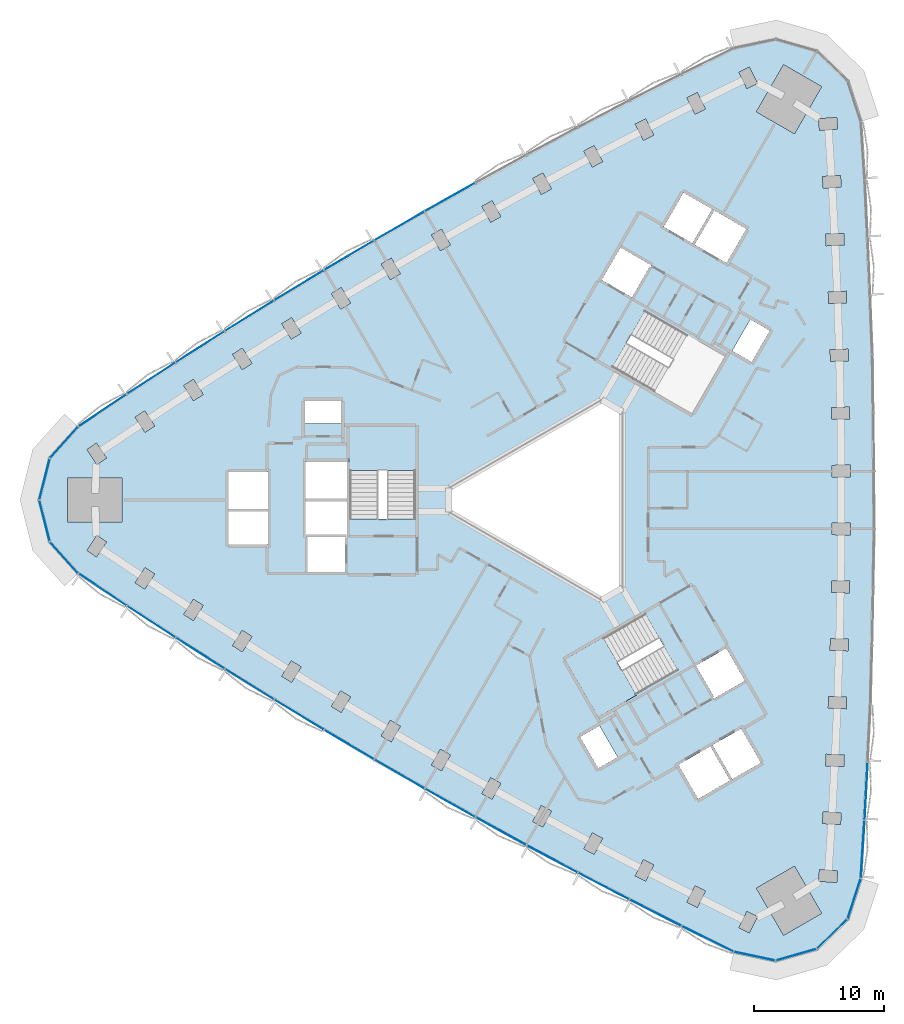
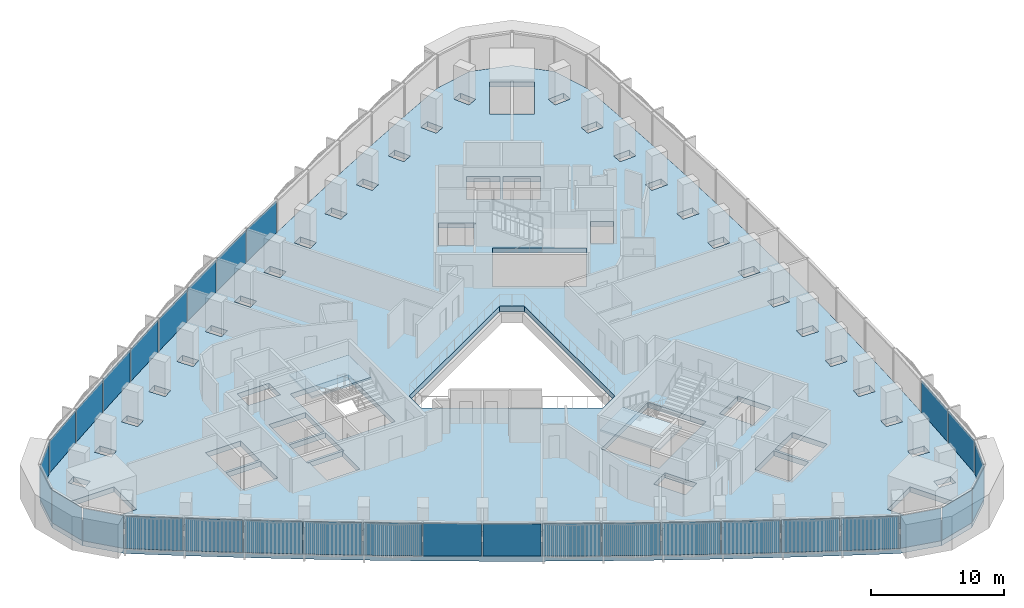
# One storey, part 7 of 15: 31 plates, 3 slabs, 5 elements without a shape of their own.
"""IFC4 building model written with IfcOpenShell, lengths in metres."""

from ifc_helpers import new_model, si_unit, direction, frame, origin, origin_2d, place, context, subcontext, project, spatial, polyline, rectangle, outline, extrude, material, layer, layer_set, type_object, element, aggregate, save


model = new_model("IFC4")

# Units and contexts
model_context = context("Model", 3, precision=1e-05, world=origin(), true_north=direction((0.0, 1.0)))
body_context = subcontext(model_context, "Body", "Model", "MODEL_VIEW")
ifc_project = project(units=[si_unit("LENGTHUNIT", "METRE"), si_unit("AREAUNIT", "SQUARE_METRE"), si_unit("VOLUMEUNIT", "CUBIC_METRE"), si_unit("PLANEANGLEUNIT", "RADIAN"), si_unit("MASSUNIT", "GRAM", prefix="KILO")], contexts=[model_context])

# Site, building, storey
site_placement = place(None, origin())
site = spatial("IfcSite", under=ifc_project, at=site_placement, CompositionType="ELEMENT")
building_placement = place(site_placement, origin())
building = spatial("IfcBuilding", under=site, at=building_placement, Name="Tamra Quay Hotel Tower", CompositionType="ELEMENT")
storey_placement = place(building_placement, frame((0.0, 0.0, 53.0)))
storey = spatial("IfcBuildingStorey", under=building, at=storey_placement, Name="L11", CompositionType="ELEMENT", Elevation=53.0)

# Stair, slab
ifc_material_1 = material(Name="Exit stair 2200 24 risers 150.0 going 342")
stair_type = type_object("IfcStairType", Name="Exit stair 2200 24 risers 150.0 going 342", PredefinedType="HALF_TURN_STAIR", material=ifc_material_1)
stair_1_placement = place(storey_placement, origin())
stair_1 = element("IfcStair", 1, at=stair_1_placement, inside=storey, type_object=stair_type, Name="L11 Exit stair ST3", PredefinedType="HALF_TURN_STAIR")
ifc_material_2 = material(Name="Concrete M70", Category="concrete")
ifc_layer_1 = layer(ifc_material_2, 0.175048828125)
ifc_layer_set_1 = layer_set([ifc_layer_1], Name="Concrete M70 stair landing 180")
slab_type_1 = type_object("IfcSlabType", Name="Concrete M70 stair landing 180", PredefinedType="LANDING", material=ifc_layer_set_1)
slab_1_placement = place(storey_placement, frame((0.0, 0.0, 1.625)))
slab_1 = element("IfcSlab", 2, at=slab_1_placement, type_object=slab_type_1, Name="ST3 landing 1", PredefinedType="LANDING", context=body_context, shape_type="SweptSolid", body=[
    extrude(outline(polyline([(-10.932373046875, 2.261962890625), (-10.932373046875, 5.679931640625), (-16.09130859375, 5.679931640625), (-16.09130859375, 2.261962890625), (-10.932373046875, 2.261962890625)])), origin(), (0.0, 0.0, 1.0), 0.175048828125),
])
aggregate(stair_1, [slab_1])

stair_2_placement = place(storey_placement, origin())
stair_2 = element("IfcStair", 3, at=stair_2_placement, inside=storey, type_object=stair_type, Name="L11 Exit stair ST2", PredefinedType="HALF_TURN_STAIR")
slab_2_placement = place(storey_placement, frame((0.0, 0.0, 1.625)))
slab_2 = element("IfcSlab", 4, at=slab_2_placement, type_object=slab_type_1, Name="ST2 landing 1", PredefinedType="LANDING", context=body_context, shape_type="SweptSolid", body=[
    extrude(outline(polyline([(3.50732421875, -10.5986328125), (0.547119140625, -12.3076171875), (3.126708984375, -16.775390625), (6.086669921875, -15.06640625), (3.50732421875, -10.5986328125)])), origin(), (0.0, 0.0, 1.0), 0.175048828125),
])
aggregate(stair_2, [slab_2])

# Slab
ifc_material_3 = material(Name="Concrete M60", Category="concrete")
ifc_layer_2 = layer(ifc_material_3, 0.47509765625)
ifc_layer_set_2 = layer_set([ifc_layer_2], Name="FLOOR SLAB PT 475")
slab_type_2 = type_object("IfcSlabType", Name="FLOOR SLAB PT 475", PredefinedType="FLOOR", material=ifc_layer_set_2)
slab_3_placement = place(storey_placement, frame((0.0, 0.0, -0.47509765625)))
element("IfcSlab", 5, at=slab_3_placement, inside=storey, type_object=slab_type_2, Name="SLAB-L11", PredefinedType="FLOOR", context=body_context, shape_type="SweptSolid", body=[
    extrude(outline(polyline([(23.699951171875, 24.723876953125), (23.943115234375, 20.231689453125), (24.137939453125, 15.738525390625), (24.283935546875, 11.24365234375), (24.38134765625, 6.74560546875), (24.43017578125, 2.248779296875), (24.43017578125, -2.248779296875), (24.38134765625, -6.74560546875), (24.283935546875, -11.24365234375), (24.137939453125, -15.738525390625), (23.943115234375, -20.231689453125), (23.699951171875, -24.723876953125), (23.40869140625, -29.210693359375), (22.386474609375, -32.356201171875), (20.00732421875, -34.65380859375), (16.828125, -35.5654296875), (13.593017578125, -34.877685546875), (9.5615234375, -32.88671875), (5.54931640625, -30.851318359375), (1.56103515625, -28.773193359375), (-2.40478515625, -26.65234375), (-6.3486328125, -24.48779296875), (-10.267578125, -22.281494140625), (-14.162353515625, -20.03271484375), (-18.03271484375, -17.741943359375), (-21.879150390625, -15.40869140625), (-25.698974609375, -13.034912109375), (-29.49267578125, -10.61962890625), (-33.261474609375, -8.162841796875), (-37.001708984375, -5.6669921875), (-39.214599609375, -3.208984375), (-40.0146484375, 0.0), (-39.214599609375, 3.208984375), (-37.001708984375, 5.6669921875), (-33.261474609375, 8.162841796875), (-29.49267578125, 10.61962890625), (-25.698974609375, 13.034912109375), (-21.879150390625, 15.40869140625), (-18.03271484375, 17.741943359375), (-14.162353515625, 20.03271484375), (-10.267578125, 22.281494140625), (-6.3486328125, 24.48779296875), (-2.40478515625, 26.65234375), (1.56103515625, 28.773193359375), (5.54931640625, 30.851318359375), (9.5615234375, 32.88671875), (13.593017578125, 34.877685546875), (16.828125, 35.5654296875), (20.00732421875, 34.65380859375), (22.386474609375, 32.356201171875), (23.40869140625, 29.210693359375), (23.699951171875, 24.723876953125)]), holes=[polyline([(-17.475830078125, -15.935791015625), (-16.70361328125, -16.39794921875), (-15.984375, -15.19677734375), (-16.756591796875, -14.734619140625), (-17.475830078125, -15.935791015625)]), polyline([(-20.56884765625, -12.416015625), (-21.3017578125, -13.60888671875), (-20.534912109375, -14.080078125), (-19.802001953125, -12.88720703125), (-20.56884765625, -12.416015625)]), polyline([(-24.357177734375, -10.05615234375), (-25.102294921875, -11.2412109375), (-24.340576171875, -11.72021484375), (-23.59521484375, -10.53515625), (-24.357177734375, -10.05615234375)]), polyline([(-28.11962890625, -7.6552734375), (-28.87744140625, -8.83251953125), (-28.12060546875, -9.319580078125), (-27.36279296875, -8.142578125), (-28.11962890625, -7.6552734375)]), polyline([(-31.854736328125, -5.21435546875), (-32.6259765625, -6.3828125), (-31.874755859375, -6.878662109375), (-31.103515625, -5.710205078125), (-31.854736328125, -5.21435546875)]), polyline([(-16.3173828125, -2.85498046875), (-19.4072265625, -2.85498046875), (-19.4072265625, -2.89306640625), (-19.307373046875, -2.89306640625), (-19.307373046875, -5.544921875), (-16.417236328125, -5.544921875), (-16.417236328125, -2.89306640625), (-16.3173828125, -2.89306640625), (-16.3173828125, -2.85498046875)]), polyline([(-35.565185546875, -2.73291015625), (-36.347900390625, -3.8935546875), (-35.601806640625, -4.396728515625), (-34.819091796875, -3.236083984375), (-35.565185546875, -2.73291015625)]), polyline([(-22.3671875, -3.445068359375), (-22.3671875, -0.905029296875), (-25.4072265625, -0.905029296875), (-25.4072265625, -3.445068359375), (-22.3671875, -3.445068359375)]), polyline([(-19.417236328125, -2.89306640625), (-19.417236328125, -2.64501953125), (-16.307373046875, -2.64501953125), (-16.307373046875, -2.89306640625), (-16.26708984375, -2.89306640625), (-16.26708984375, -0.10498046875), (-19.45751953125, -0.10498046875), (-19.45751953125, -2.89306640625), (-19.417236328125, -2.89306640625)]), polyline([(-33.62890625, 1.699951171875), (-37.828857421875, 1.699951171875), (-37.828857421875, -1.699951171875), (-33.62890625, -1.699951171875), (-33.62890625, 1.699951171875)]), polyline([(-25.4072265625, -0.695068359375), (-22.3671875, -0.695068359375), (-22.3671875, 2.14501953125), (-25.4072265625, 2.14501953125), (-25.4072265625, -0.695068359375)]), polyline([(-19.45751953125, 0.10498046875), (-16.26708984375, 0.10498046875), (-16.26708984375, 2.945068359375), (-19.45751953125, 2.945068359375), (-19.45751953125, 0.10498046875)]), polyline([(-16.036376953125, -1.455078125), (-10.9873046875, -1.455078125), (-10.9873046875, 5.625), (-16.036376953125, 5.625), (-16.036376953125, -1.455078125)]), polyline([(-34.819091796875, 3.236083984375), (-35.601806640625, 4.396728515625), (-36.347900390625, 3.8935546875), (-35.565185546875, 2.73291015625), (-34.819091796875, 3.236083984375)]), polyline([(-31.103515625, 5.710205078125), (-31.874755859375, 6.878662109375), (-32.6259765625, 6.3828125), (-31.854736328125, 5.21435546875), (-31.103515625, 5.710205078125)]), polyline([(-16.71728515625, 7.64501953125), (-19.50732421875, 7.64501953125), (-19.50732421875, 5.9150390625), (-16.71728515625, 5.9150390625), (-16.71728515625, 7.64501953125)]), polyline([(-27.36279296875, 8.142578125), (-28.12060546875, 9.319580078125), (-28.87744140625, 8.83251953125), (-28.11962890625, 7.6552734375), (-27.36279296875, 8.142578125)]), polyline([(-23.59521484375, 10.53515625), (-24.340576171875, 11.72021484375), (-25.102294921875, 11.2412109375), (-24.357177734375, 10.05615234375), (-23.59521484375, 10.53515625)]), polyline([(-19.802001953125, 12.88720703125), (-20.534912109375, 14.080078125), (-21.3017578125, 13.60888671875), (-20.56884765625, 12.416015625), (-19.802001953125, 12.88720703125)]), polyline([(-15.984375, 15.19677734375), (-16.70361328125, 16.39794921875), (-17.475830078125, 15.935791015625), (-16.756591796875, 14.734619140625), (-15.984375, 15.19677734375)]), polyline([(-12.141357421875, 17.466064453125), (-12.84765625, 18.6748046875), (-13.624755859375, 18.220703125), (-12.918212890625, 17.011962890625), (-12.141357421875, 17.466064453125)]), polyline([(10.606689453125, -29.79150390625), (9.980224609375, -31.04345703125), (10.78515625, -31.4462890625), (11.41162109375, -30.194091796875), (10.606689453125, -29.79150390625)]), polyline([(6.6298828125, -27.76806640625), (5.9892578125, -29.012939453125), (6.78955078125, -29.4248046875), (7.43017578125, -28.179931640625), (6.6298828125, -27.76806640625)]), polyline([(2.673828125, -25.70166015625), (2.02001953125, -26.939697265625), (2.81591796875, -27.35986328125), (3.4697265625, -26.121826171875), (2.673828125, -25.70166015625)]), polyline([(-1.259521484375, -23.5927734375), (-1.92626953125, -24.82373046875), (-1.134765625, -25.252197265625), (-0.46826171875, -24.021240234375), (-1.259521484375, -23.5927734375)]), polyline([(-5.168701171875, -21.44140625), (-5.849365234375, -22.664794921875), (-5.06298828125, -23.102294921875), (-4.382080078125, -21.87890625), (-5.168701171875, -21.44140625)]), polyline([(13.3056640625, -21.65576171875), (11.78564453125, -19.02294921875), (9.325927734375, -20.443115234375), (10.845947265625, -23.075927734375), (13.3056640625, -21.65576171875)]), polyline([(-9.055419921875, -19.247802734375), (-9.7490234375, -20.4638671875), (-8.96728515625, -20.90966796875), (-8.273681640625, -19.693603515625), (-9.055419921875, -19.247802734375)]), polyline([(1.73779296875, -18.300048828125), (3.1328125, -20.71630859375), (4.631103515625, -19.851318359375), (3.236083984375, -17.43505859375), (1.73779296875, -18.300048828125)]), polyline([(-12.918212890625, -17.011962890625), (-13.624755859375, -18.220703125), (-12.84765625, -18.6748046875), (-12.141357421875, -17.466064453125), (-12.918212890625, -17.011962890625)]), polyline([(10.68115234375, -12.790283203125), (12.05615234375, -15.171875), (11.969482421875, -15.2216796875), (12.03955078125, -15.343017578125), (14.455810546875, -13.947998046875), (13.0107421875, -11.4453125), (10.68115234375, -12.790283203125)]), polyline([(9.2783203125, -13.160400390625), (6.75390625, -8.78759765625), (0.622314453125, -12.32763671875), (3.146728515625, -16.7001953125), (9.2783203125, -13.160400390625)]), polyline([(3.39990234375, 7.736572265625), (-8.39990234375, 0.923828125), (-8.39990234375, -0.923828125), (3.39990234375, -7.736572265625), (5.0, -6.812744140625), (5.0, 6.812744140625), (3.39990234375, 7.736572265625)]), polyline([(6.758056640625, 14.615478515625), (4.2333984375, 10.242919921875), (10.364990234375, 6.702880859375), (12.889404296875, 11.075439453125), (6.758056640625, 14.615478515625)]), polyline([(5.736083984375, 15.645263671875), (7.111083984375, 18.02685546875), (7.19775390625, 17.976806640625), (7.267578125, 18.09814453125), (4.8515625, 19.4931640625), (3.406494140625, 16.990234375), (5.736083984375, 15.645263671875)]), polyline([(-8.273681640625, 19.693603515625), (-8.96728515625, 20.90966796875), (-9.7490234375, 20.4638671875), (-9.055419921875, 19.247802734375), (-8.273681640625, 19.693603515625)]), polyline([(8.2001953125, 21.093017578125), (10.39990234375, 19.822998046875), (11.919921875, 22.455810546875), (9.72021484375, 23.725830078125), (8.2001953125, 21.093017578125)]), polyline([(-4.382080078125, 21.87890625), (-5.06298828125, 23.102294921875), (-5.849365234375, 22.664794921875), (-5.168701171875, 21.44140625), (-4.382080078125, 21.87890625)]), polyline([(-0.46826171875, 24.021240234375), (-1.134765625, 25.252197265625), (-1.92626953125, 24.82373046875), (-1.259521484375, 23.5927734375), (-0.46826171875, 24.021240234375)]), polyline([(3.4697265625, 26.121826171875), (2.81591796875, 27.35986328125), (2.02001953125, 26.939697265625), (2.673828125, 25.70166015625), (3.4697265625, 26.121826171875)]), polyline([(7.43017578125, 28.179931640625), (6.78955078125, 29.4248046875), (5.9892578125, 29.012939453125), (6.6298828125, 27.76806640625), (7.43017578125, 28.179931640625)]), polyline([(11.41162109375, 30.194091796875), (10.78515625, 31.4462890625), (9.980224609375, 31.04345703125), (10.606689453125, 29.79150390625), (11.41162109375, 30.194091796875)]), polyline([(14.60693359375, -31.772216796875), (13.993408203125, -33.030517578125), (14.80224609375, -33.425048828125), (15.416015625, -32.166748046875), (14.60693359375, -31.772216796875)]), polyline([(15.34228515625, -29.973388671875), (17.442138671875, -33.61083984375), (20.38671875, -31.910888671875), (18.28662109375, -28.2734375), (15.34228515625, -29.973388671875)]), polyline([(20.1494140625, -29.43408203125), (21.5458984375, -29.53173828125), (21.608642578125, -28.6337890625), (20.212158203125, -28.5361328125), (20.1494140625, -29.43408203125)]), polyline([(20.443115234375, -24.979736328125), (21.840576171875, -25.0634765625), (21.894287109375, -24.1650390625), (20.496826171875, -24.081298828125), (20.443115234375, -24.979736328125)]), polyline([(20.689453125, -20.524658203125), (22.087890625, -20.59228515625), (22.13134765625, -19.693359375), (20.73291015625, -19.625732421875), (20.689453125, -20.524658203125)]), polyline([(14.1669921875, -17.648193359375), (11.96728515625, -18.91796875), (13.487548828125, -21.55078125), (15.68701171875, -20.281005859375), (14.1669921875, -17.648193359375)]), polyline([(20.887451171875, -16.06591796875), (22.286376953125, -16.11865234375), (22.3203125, -15.219482421875), (20.92138671875, -15.16650390625), (20.887451171875, -16.06591796875)]), polyline([(21.037109375, -11.60498046875), (22.4365234375, -11.643310546875), (22.461181640625, -10.74365234375), (21.0615234375, -10.70556640625), (21.037109375, -11.60498046875)]), polyline([(21.138916015625, -7.144287109375), (22.538818359375, -7.16650390625), (22.552978515625, -6.2666015625), (21.153076171875, -6.244384765625), (21.138916015625, -7.144287109375)]), polyline([(21.19189453125, -2.681640625), (22.591796875, -2.68896484375), (22.5966796875, -1.7890625), (21.19677734375, -1.781494140625), (21.19189453125, -2.681640625)]), polyline([(21.19677734375, 1.781494140625), (22.5966796875, 1.7890625), (22.591796875, 2.68896484375), (21.19189453125, 2.681640625), (21.19677734375, 1.781494140625)]), polyline([(21.153076171875, 6.244384765625), (22.552978515625, 6.2666015625), (22.538818359375, 7.16650390625), (21.138916015625, 7.144287109375), (21.153076171875, 6.244384765625)]), polyline([(21.0615234375, 10.70556640625), (22.461181640625, 10.74365234375), (22.4365234375, 11.643310546875), (21.037109375, 11.60498046875), (21.0615234375, 10.70556640625)]), polyline([(14.9794921875, 10.655029296875), (16.37451171875, 13.0712890625), (14.876220703125, 13.936279296875), (13.481201171875, 11.52001953125), (14.9794921875, 10.655029296875)]), polyline([(20.92138671875, 15.16650390625), (22.3203125, 15.219482421875), (22.286376953125, 16.11865234375), (20.887451171875, 16.06591796875), (20.92138671875, 15.16650390625)]), polyline([(20.73291015625, 19.625732421875), (22.13134765625, 19.693359375), (22.087890625, 20.59228515625), (20.689453125, 20.524658203125), (20.73291015625, 19.625732421875)]), polyline([(12.101806640625, 22.350830078125), (10.58154296875, 19.718017578125), (13.041259765625, 18.298095703125), (14.561279296875, 20.930908203125), (12.101806640625, 22.350830078125)]), polyline([(20.496826171875, 24.081298828125), (21.894287109375, 24.1650390625), (21.840576171875, 25.0634765625), (20.443115234375, 24.979736328125), (20.496826171875, 24.081298828125)]), polyline([(20.212158203125, 28.5361328125), (21.608642578125, 28.6337890625), (21.5458984375, 29.53173828125), (20.1494140625, 29.43408203125), (20.212158203125, 28.5361328125)]), polyline([(18.28662109375, 28.2734375), (20.38671875, 31.910888671875), (17.442138671875, 33.61083984375), (15.34228515625, 29.973388671875), (18.28662109375, 28.2734375)]), polyline([(15.416015625, 32.166748046875), (14.80224609375, 33.425048828125), (13.993408203125, 33.030517578125), (14.60693359375, 31.772216796875), (15.416015625, 32.166748046875)])]), origin(), (0.0, 0.0, 1.0), 0.47509765625),
])

# Curtain wall, plates
ifc_material_4 = material(Name="Aluminium 6063 anodised dark grey", Category="aluminium")
curtain_wall_type_1 = type_object("IfcCurtainWallType", Name="CW1 CURTAIN WALL", PredefinedType="NOTDEFINED", material=ifc_material_4)
curtain_wall_1_placement = place(storey_placement, origin())
curtain_wall_1 = element("IfcCurtainWall", 6, at=curtain_wall_1_placement, inside=storey, type_object=curtain_wall_type_1, Name="CW1 east face L11", PredefinedType="NOTDEFINED")
ifc_material_5 = material(Name="Glass clear laminated low-iron", Category="glass")
ifc_layer_3 = layer(ifc_material_5, 0.035888671875)
ifc_layer_set_3 = layer_set([ifc_layer_3], Name="GLASS PANEL CW1 Z1")
plate_type_1 = type_object("IfcPlateType", Name="GLASS PANEL CW1 Z1", PredefinedType="CURTAIN_PANEL", material=ifc_layer_set_3)
plate_1_placement = place(storey_placement, frame((23.55419921875, -26.96728515625, 0.0), z_axis=(0.0, 0.0, 1.0), x_axis=(0.064813097616, 0.997897420769, 0.0)))
plate_1 = element("IfcPlate", 7, at=plate_1_placement, type_object=plate_type_1, Name="CW1 glass L11.E.1", PredefinedType="CURTAIN_PANEL", context=body_context, shape_type="SweptSolid", body=[
    extrude(rectangle(XDim=4.396484375, YDim=0.035888671875, at=origin_2d()), origin(), (0.0, 0.0, 1.0), 2.985107421875),
])
plate_2_placement = place(storey_placement, frame((23.821533203125, -22.477783203125, 0.0), z_axis=(0.0, 0.0, 1.0), x_axis=(0.054062119595, 0.998537574268, 0.0)))
plate_2 = element("IfcPlate", 8, at=plate_2_placement, type_object=plate_type_1, Name="CW1 glass L11.E.2", PredefinedType="CURTAIN_PANEL", context=body_context, shape_type="SweptSolid", body=[
    extrude(rectangle(XDim=4.39892578125, YDim=0.035888671875, at=origin_2d()), origin(), (0.0, 0.0, 1.0), 2.985107421875),
])
aggregate(curtain_wall_1, [plate_1, plate_2])

curtain_wall_type_2 = type_object("IfcCurtainWallType", Name="CW2 CURTAIN WALL", PredefinedType="NOTDEFINED", material=ifc_material_4)
curtain_wall_2_placement = place(storey_placement, origin())
curtain_wall_2 = element("IfcCurtainWall", 9, at=curtain_wall_2_placement, inside=storey, type_object=curtain_wall_type_2, Name="CW2 north-west face L11", PredefinedType="NOTDEFINED")
ifc_layer_4 = layer(ifc_material_5, 0.035888671875)
ifc_layer_set_4 = layer_set([ifc_layer_4], Name="GLASS PANEL CW2 Z1")
plate_type_2 = type_object("IfcPlateType", Name="GLASS PANEL CW2 Z1", PredefinedType="CURTAIN_PANEL", material=ifc_layer_set_4)
plate_3_placement = place(storey_placement, frame((-8.30810546875, 23.384521484375, 0.0), z_axis=(0.0, 0.0, 1.0), x_axis=(-0.871392472945, -0.490586544959, 0.0)))
plate_3 = element("IfcPlate", 10, at=plate_3_placement, type_object=plate_type_2, Name="CW2 glass L11.NW.6", PredefinedType="CURTAIN_PANEL", context=body_context, shape_type="SweptSolid", body=[
    extrude(rectangle(XDim=4.397216796875, YDim=0.035888671875, at=origin_2d()), origin(), (0.0, 0.0, 1.0), 2.985107421875),
])
plate_4_placement = place(storey_placement, frame((-12.215087890625, 21.156982421875, 0.0), z_axis=(0.0, 0.0, 1.0), x_axis=(-0.866025403784, -0.5, 0.0)))
plate_4 = element("IfcPlate", 11, at=plate_4_placement, type_object=plate_type_2, Name="CW2 glass L11.NW.7", PredefinedType="CURTAIN_PANEL", context=body_context, shape_type="SweptSolid", body=[
    extrude(rectangle(XDim=4.397216796875, YDim=0.035888671875, at=origin_2d()), origin(), (0.0, 0.0, 1.0), 2.985107421875),
])
plate_5_placement = place(storey_placement, frame((-16.09765625, 18.887451171875, 0.0), z_axis=(0.0, 0.0, 1.0), x_axis=(-0.860556647162, -0.509354745757, 0.0)))
plate_5 = element("IfcPlate", 12, at=plate_5_placement, type_object=plate_type_2, Name="CW2 glass L11.NW.8", PredefinedType="CURTAIN_PANEL", context=body_context, shape_type="SweptSolid", body=[
    extrude(rectangle(XDim=4.397216796875, YDim=0.035888671875, at=origin_2d()), origin(), (0.0, 0.0, 1.0), 2.985107421875),
])
plate_6_placement = place(storey_placement, frame((-19.955810546875, 16.575439453125, 0.0), z_axis=(0.0, 0.0, 1.0), x_axis=(-0.85499355735, -0.51863861878, 0.0)))
plate_6 = element("IfcPlate", 13, at=plate_6_placement, type_object=plate_type_2, Name="CW2 glass L11.NW.9", PredefinedType="CURTAIN_PANEL", context=body_context, shape_type="SweptSolid", body=[
    extrude(rectangle(XDim=4.39892578125, YDim=0.035888671875, at=origin_2d()), origin(), (0.0, 0.0, 1.0), 2.985107421875),
])
plate_7_placement = place(storey_placement, frame((-23.7890625, 14.2216796875, 0.0), z_axis=(0.0, 0.0, 1.0), x_axis=(-0.849331223164, -0.527860278254, 0.0)))
plate_7 = element("IfcPlate", 14, at=plate_7_placement, type_object=plate_type_2, Name="CW2 glass L11.NW.10", PredefinedType="CURTAIN_PANEL", context=body_context, shape_type="SweptSolid", body=[
    extrude(rectangle(XDim=4.397216796875, YDim=0.035888671875, at=origin_2d()), origin(), (0.0, 0.0, 1.0), 2.985107421875),
])
plate_8_placement = place(storey_placement, frame((-27.595703125, 11.8271484375, 0.0), z_axis=(0.0, 0.0, 1.0), x_axis=(-0.84357098627, -0.537017682319, 0.0)))
plate_8 = element("IfcPlate", 15, at=plate_8_placement, type_object=plate_type_2, Name="CW2 glass L11.NW.11", PredefinedType="CURTAIN_PANEL", context=body_context, shape_type="SweptSolid", body=[
    extrude(rectangle(XDim=4.397216796875, YDim=0.035888671875, at=origin_2d()), origin(), (0.0, 0.0, 1.0), 2.985107421875),
])
plate_9_placement = place(storey_placement, frame((-31.376953125, 9.391357421875, 0.0), z_axis=(0.0, 0.0, 1.0), x_axis=(-0.837727846152, -0.546087956086, 0.0)))
plate_9 = element("IfcPlate", 16, at=plate_9_placement, type_object=plate_type_2, Name="CW2 glass L11.NW.12", PredefinedType="CURTAIN_PANEL", context=body_context, shape_type="SweptSolid", body=[
    extrude(rectangle(XDim=4.39892578125, YDim=0.035888671875, at=origin_2d()), origin(), (0.0, 0.0, 1.0), 2.985107421875),
])
plate_10_placement = place(storey_placement, frame((-35.131591796875, 6.9150390625, 0.0), z_axis=(0.0, 0.0, 1.0), x_axis=(-0.831797967949, -0.555078499418, 0.0)))
plate_10 = element("IfcPlate", 17, at=plate_10_placement, type_object=plate_type_2, Name="CW2 glass L11.NW.13", PredefinedType="CURTAIN_PANEL", context=body_context, shape_type="SweptSolid", body=[
    extrude(rectangle(XDim=4.396484375, YDim=0.035888671875, at=origin_2d()), origin(), (0.0, 0.0, 1.0), 2.985107421875),
])
plate_11_placement = place(storey_placement, frame((-38.108154296875, 4.43798828125, 0.0), z_axis=(0.0, 0.0, 1.0), x_axis=(-0.669112198553, -0.743161399527, 0.0)))
plate_11 = element("IfcPlate", 18, at=plate_11_placement, type_object=plate_type_2, Name="CW2 glass L11.NW.14", PredefinedType="CURTAIN_PANEL", context=body_context, shape_type="SweptSolid", body=[
    extrude(rectangle(XDim=3.207275390625, YDim=0.035888671875, at=origin_2d()), origin(), (0.0, 0.0, 1.0), 2.985107421875),
])
plate_12_placement = place(storey_placement, frame((-39.61474609375, 1.6044921875, 0.0), z_axis=(0.0, 0.0, 1.0), x_axis=(-0.241913884219, -0.970297723702, 0.0)))
plate_12 = element("IfcPlate", 19, at=plate_12_placement, type_object=plate_type_2, Name="CW2 glass L11.NW.15", PredefinedType="CURTAIN_PANEL", context=body_context, shape_type="SweptSolid", body=[
    extrude(rectangle(XDim=3.207275390625, YDim=0.035888671875, at=origin_2d()), origin(), (0.0, 0.0, 1.0), 2.985107421875),
])
plate_13_placement = place(storey_placement, frame((-39.61474609375, -1.6044921875, 0.0), z_axis=(0.0, 0.0, 1.0), x_axis=(0.24191388422, -0.970297723702, 0.0)))
plate_13 = element("IfcPlate", 20, at=plate_13_placement, type_object=plate_type_2, Name="CW2 glass L11.NW.16", PredefinedType="CURTAIN_PANEL", context=body_context, shape_type="SweptSolid", body=[
    extrude(rectangle(XDim=3.207275390625, YDim=0.035888671875, at=origin_2d()), origin(), (0.0, 0.0, 1.0), 2.985107421875),
])
plate_14_placement = place(storey_placement, frame((-38.108154296875, -4.43798828125, 0.0), z_axis=(0.0, 0.0, 1.0), x_axis=(0.669112198553, -0.743161399527, 0.0)))
plate_14 = element("IfcPlate", 21, at=plate_14_placement, type_object=plate_type_2, Name="CW2 glass L11.NW.17", PredefinedType="CURTAIN_PANEL", context=body_context, shape_type="SweptSolid", body=[
    extrude(rectangle(XDim=3.207275390625, YDim=0.035888671875, at=origin_2d()), origin(), (0.0, 0.0, 1.0), 2.985107421875),
])
aggregate(curtain_wall_2, [plate_3, plate_4, plate_5, plate_6, plate_7, plate_8, plate_9, plate_10, plate_11, plate_12, plate_13, plate_14])

curtain_wall_type_3 = type_object("IfcCurtainWallType", Name="CW3 CURTAIN WALL", PredefinedType="NOTDEFINED", material=ifc_material_4)
curtain_wall_3_placement = place(storey_placement, origin())
curtain_wall_3 = element("IfcCurtainWall", 22, at=curtain_wall_3_placement, inside=storey, type_object=curtain_wall_type_3, Name="CW3 south-west face L11", PredefinedType="NOTDEFINED")
ifc_layer_5 = layer(ifc_material_5, 0.035888671875)
ifc_layer_set_5 = layer_set([ifc_layer_5], Name="GLASS PANEL CW3 Z1")
plate_type_3 = type_object("IfcPlateType", Name="GLASS PANEL CW3 Z1", PredefinedType="CURTAIN_PANEL", material=ifc_layer_set_5)
plate_15_placement = place(storey_placement, frame((-35.131591796875, -6.9150390625, 0.0), z_axis=(0.0, 0.0, 1.0), x_axis=(0.831797967949, -0.555078499418, 0.0)))
plate_15 = element("IfcPlate", 23, at=plate_15_placement, type_object=plate_type_3, Name="CW3 glass L11.SW.1", PredefinedType="CURTAIN_PANEL", context=body_context, shape_type="SweptSolid", body=[
    extrude(rectangle(XDim=4.396484375, YDim=0.035888671875, at=origin_2d()), origin(), (0.0, 0.0, 1.0), 2.985107421875),
])
plate_16_placement = place(storey_placement, frame((-31.376953125, -9.391357421875, 0.0), z_axis=(0.0, 0.0, 1.0), x_axis=(0.837727846152, -0.546087956086, 0.0)))
plate_16 = element("IfcPlate", 24, at=plate_16_placement, type_object=plate_type_3, Name="CW3 glass L11.SW.2", PredefinedType="CURTAIN_PANEL", context=body_context, shape_type="SweptSolid", body=[
    extrude(rectangle(XDim=4.39892578125, YDim=0.035888671875, at=origin_2d()), origin(), (0.0, 0.0, 1.0), 2.985107421875),
])
plate_17_placement = place(storey_placement, frame((-27.595703125, -11.8271484375, 0.0), z_axis=(0.0, 0.0, 1.0), x_axis=(0.84357098627, -0.537017682319, 0.0)))
plate_17 = element("IfcPlate", 25, at=plate_17_placement, type_object=plate_type_3, Name="CW3 glass L11.SW.3", PredefinedType="CURTAIN_PANEL", context=body_context, shape_type="SweptSolid", body=[
    extrude(rectangle(XDim=4.397216796875, YDim=0.035888671875, at=origin_2d()), origin(), (0.0, 0.0, 1.0), 2.985107421875),
])
plate_18_placement = place(storey_placement, frame((-23.7890625, -14.2216796875, 0.0), z_axis=(0.0, 0.0, 1.0), x_axis=(0.849331223164, -0.527860278254, 0.0)))
plate_18 = element("IfcPlate", 26, at=plate_18_placement, type_object=plate_type_3, Name="CW3 glass L11.SW.4", PredefinedType="CURTAIN_PANEL", context=body_context, shape_type="SweptSolid", body=[
    extrude(rectangle(XDim=4.397216796875, YDim=0.035888671875, at=origin_2d()), origin(), (0.0, 0.0, 1.0), 2.985107421875),
])
plate_19_placement = place(storey_placement, frame((-19.955810546875, -16.575439453125, 0.0), z_axis=(0.0, 0.0, 1.0), x_axis=(0.85499355735, -0.51863861878, 0.0)))
plate_19 = element("IfcPlate", 27, at=plate_19_placement, type_object=plate_type_3, Name="CW3 glass L11.SW.5", PredefinedType="CURTAIN_PANEL", context=body_context, shape_type="SweptSolid", body=[
    extrude(rectangle(XDim=4.39892578125, YDim=0.035888671875, at=origin_2d()), origin(), (0.0, 0.0, 1.0), 2.985107421875),
])
plate_20_placement = place(storey_placement, frame((-16.09765625, -18.887451171875, 0.0), z_axis=(0.0, 0.0, 1.0), x_axis=(0.860556647162, -0.509354745757, 0.0)))
plate_20 = element("IfcPlate", 28, at=plate_20_placement, type_object=plate_type_3, Name="CW3 glass L11.SW.6", PredefinedType="CURTAIN_PANEL", context=body_context, shape_type="SweptSolid", body=[
    extrude(rectangle(XDim=4.397216796875, YDim=0.035888671875, at=origin_2d()), origin(), (0.0, 0.0, 1.0), 2.985107421875),
])
plate_21_placement = place(storey_placement, frame((-12.215087890625, -21.156982421875, 0.0), z_axis=(0.0, 0.0, 1.0), x_axis=(0.866025403784, -0.5, 0.0)))
plate_21 = element("IfcPlate", 29, at=plate_21_placement, type_object=plate_type_3, Name="CW3 glass L11.SW.7", PredefinedType="CURTAIN_PANEL", context=body_context, shape_type="SweptSolid", body=[
    extrude(rectangle(XDim=4.397216796875, YDim=0.035888671875, at=origin_2d()), origin(), (0.0, 0.0, 1.0), 2.985107421875),
])
plate_22_placement = place(storey_placement, frame((-8.30810546875, -23.384521484375, 0.0), z_axis=(0.0, 0.0, 1.0), x_axis=(0.871392472945, -0.490586544959, 0.0)))
plate_22 = element("IfcPlate", 30, at=plate_22_placement, type_object=plate_type_3, Name="CW3 glass L11.SW.8", PredefinedType="CURTAIN_PANEL", context=body_context, shape_type="SweptSolid", body=[
    extrude(rectangle(XDim=4.397216796875, YDim=0.035888671875, at=origin_2d()), origin(), (0.0, 0.0, 1.0), 2.985107421875),
])
plate_23_placement = place(storey_placement, frame((-4.376708984375, -25.570068359375, 0.0), z_axis=(0.0, 0.0, 1.0), x_axis=(0.876650997922, -0.481126831347, 0.0)))
plate_23 = element("IfcPlate", 31, at=plate_23_placement, type_object=plate_type_3, Name="CW3 glass L11.SW.9", PredefinedType="CURTAIN_PANEL", context=body_context, shape_type="SweptSolid", body=[
    extrude(rectangle(XDim=4.39892578125, YDim=0.035888671875, at=origin_2d()), origin(), (0.0, 0.0, 1.0), 2.985107421875),
])
plate_24_placement = place(storey_placement, frame((-0.421875, -27.712890625, 0.0), z_axis=(0.0, 0.0, 1.0), x_axis=(0.881806022199, -0.47161227636, 0.0)))
plate_24 = element("IfcPlate", 32, at=plate_24_placement, type_object=plate_type_3, Name="CW3 glass L11.SW.10", PredefinedType="CURTAIN_PANEL", context=body_context, shape_type="SweptSolid", body=[
    extrude(rectangle(XDim=4.397216796875, YDim=0.035888671875, at=origin_2d()), origin(), (0.0, 0.0, 1.0), 2.985107421875),
])
plate_25_placement = place(storey_placement, frame((3.55517578125, -29.812255859375, 0.0), z_axis=(0.0, 0.0, 1.0), x_axis=(0.886856448305, -0.462045062846, 0.0)))
plate_25 = element("IfcPlate", 33, at=plate_25_placement, type_object=plate_type_3, Name="CW3 glass L11.SW.11", PredefinedType="CURTAIN_PANEL", context=body_context, shape_type="SweptSolid", body=[
    extrude(rectangle(XDim=4.397216796875, YDim=0.035888671875, at=origin_2d()), origin(), (0.0, 0.0, 1.0), 2.985107421875),
])
plate_26_placement = place(storey_placement, frame((7.555419921875, -31.868896484375, 0.0), z_axis=(0.0, 0.0, 1.0), x_axis=(0.891789965747, -0.452449618182, 0.0)))
plate_26 = element("IfcPlate", 34, at=plate_26_placement, type_object=plate_type_3, Name="CW3 glass L11.SW.12", PredefinedType="CURTAIN_PANEL", context=body_context, shape_type="SweptSolid", body=[
    extrude(rectangle(XDim=4.39892578125, YDim=0.035888671875, at=origin_2d()), origin(), (0.0, 0.0, 1.0), 2.985107421875),
])
plate_27_placement = place(storey_placement, frame((11.5771484375, -33.88232421875, 0.0), z_axis=(0.0, 0.0, 1.0), x_axis=(0.896611065565, -0.442818921351, 0.0)))
plate_27 = element("IfcPlate", 35, at=plate_27_placement, type_object=plate_type_3, Name="CW3 glass L11.SW.13", PredefinedType="CURTAIN_PANEL", context=body_context, shape_type="SweptSolid", body=[
    extrude(rectangle(XDim=4.396484375, YDim=0.035888671875, at=origin_2d()), origin(), (0.0, 0.0, 1.0), 2.985107421875),
])
plate_28_placement = place(storey_placement, frame((15.210693359375, -35.2216796875, 0.0), z_axis=(0.0, 0.0, 1.0), x_axis=(0.978152750379, -0.207887462165, 0.0)))
plate_28 = element("IfcPlate", 36, at=plate_28_placement, type_object=plate_type_3, Name="CW3 glass L11.SW.14", PredefinedType="CURTAIN_PANEL", context=body_context, shape_type="SweptSolid", body=[
    extrude(rectangle(XDim=3.207275390625, YDim=0.035888671875, at=origin_2d()), origin(), (0.0, 0.0, 1.0), 2.985107421875),
])
plate_29_placement = place(storey_placement, frame((18.417724609375, -35.109619140625, 0.0), z_axis=(0.0, 0.0, 1.0), x_axis=(0.96125942007, 0.275645292589, 0.0)))
plate_29 = element("IfcPlate", 37, at=plate_29_placement, type_object=plate_type_3, Name="CW3 glass L11.SW.15", PredefinedType="CURTAIN_PANEL", context=body_context, shape_type="SweptSolid", body=[
    extrude(rectangle(XDim=3.207275390625, YDim=0.035888671875, at=origin_2d()), origin(), (0.0, 0.0, 1.0), 2.985107421875),
])
plate_30_placement = place(storey_placement, frame((21.197021484375, -33.5048828125, 0.0), z_axis=(0.0, 0.0, 1.0), x_axis=(0.719345535851, 0.694652431113, 0.0)))
plate_30 = element("IfcPlate", 38, at=plate_30_placement, type_object=plate_type_3, Name="CW3 glass L11.SW.16", PredefinedType="CURTAIN_PANEL", context=body_context, shape_type="SweptSolid", body=[
    extrude(rectangle(XDim=3.207275390625, YDim=0.035888671875, at=origin_2d()), origin(), (0.0, 0.0, 1.0), 2.985107421875),
])
plate_31_placement = place(storey_placement, frame((22.8974609375, -30.783447265625, 0.0), z_axis=(0.0, 0.0, 1.0), x_axis=(0.309040551826, 0.951048861693, 0.0)))
plate_31 = element("IfcPlate", 39, at=plate_31_placement, type_object=plate_type_3, Name="CW3 glass L11.SW.17", PredefinedType="CURTAIN_PANEL", context=body_context, shape_type="SweptSolid", body=[
    extrude(rectangle(XDim=3.207275390625, YDim=0.035888671875, at=origin_2d()), origin(), (0.0, 0.0, 1.0), 2.985107421875),
])
aggregate(curtain_wall_3, [plate_15, plate_16, plate_17, plate_18, plate_19, plate_20, plate_21, plate_22, plate_23, plate_24, plate_25, plate_26, plate_27, plate_28, plate_29, plate_30, plate_31])

save(model, "model.ifc")
